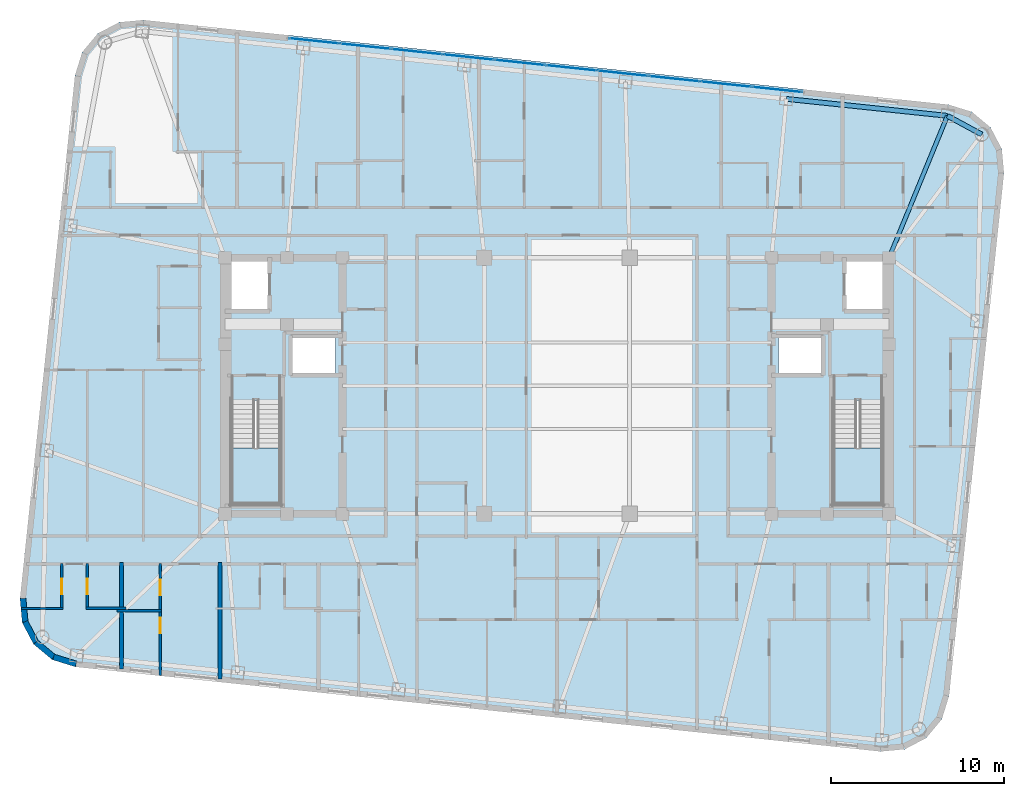
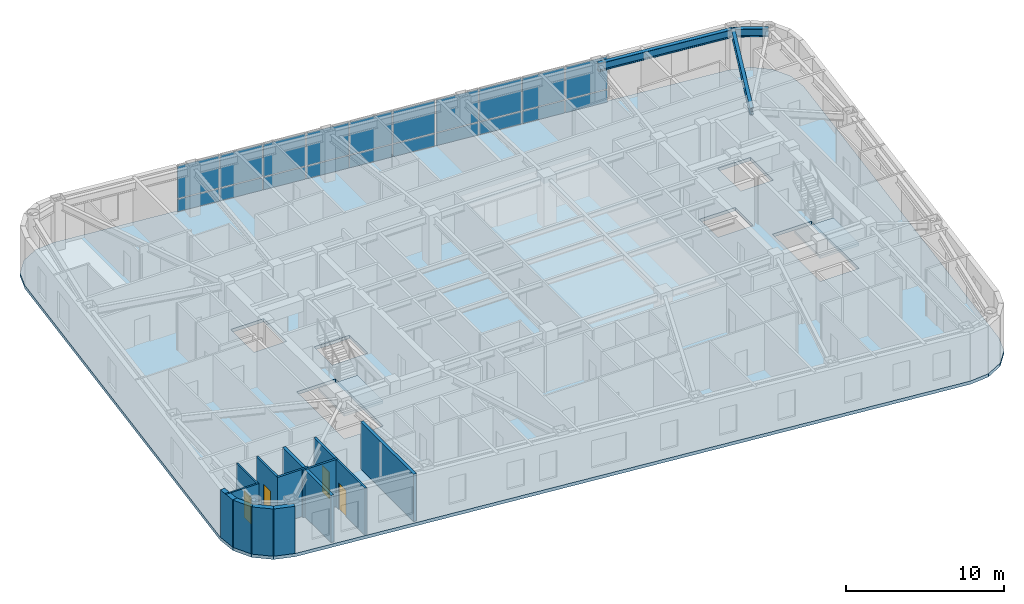
# One storey, part 7 of 16: 20 plates, 13 walls, 4 doors, 3 beams, 3 slabs, 4 openings, 3 elements without a shape of their own.
"""IFC4 building model written with IfcOpenShell, lengths in metres."""

from ifc_helpers import new_model, si_unit, direction, frame, frame_2d, origin, origin_2d, place, context, subcontext, project, spatial, polyline, rectangle, i_section, outline, extrude, material, layer, layer_set, material_profile, profile_set, type_object, element, fill, aggregate, save


model = new_model("IFC4")

# Units and contexts
model_context = context("Model", 3, precision=1e-05, world=origin(), true_north=direction((0.0, 1.0)))
body_context = subcontext(model_context, "Body", "Model", "MODEL_VIEW")
ifc_project = project(units=[si_unit("LENGTHUNIT", "METRE"), si_unit("AREAUNIT", "SQUARE_METRE"), si_unit("VOLUMEUNIT", "CUBIC_METRE"), si_unit("PLANEANGLEUNIT", "RADIAN"), si_unit("MASSUNIT", "GRAM", prefix="KILO")], contexts=[model_context])

# Site, building, storey
site_placement = place(None, origin())
site = spatial("IfcSite", under=ifc_project, at=site_placement, CompositionType="ELEMENT")
building_placement = place(site_placement, origin())
building = spatial("IfcBuilding", under=site, at=building_placement, Name="Voryun Gate Residences", CompositionType="ELEMENT")
storey_placement = place(building_placement, frame((0.0, 0.0, 267.800048828125)))
storey = spatial("IfcBuildingStorey", under=building, at=storey_placement, Name="L66", CompositionType="ELEMENT", Elevation=267.800048828125)

# Beams
ifc_material_1 = material(Name="Steel SM355", Category="steel")
ifc_material_profile_1 = material_profile(ifc_material_1, i_section(OverallWidth=0.280029296875, OverallDepth=0.6201171875, WebThickness=0.013916015625, FlangeThickness=0.02197265625, FilletRadius=0.01806640625, at=origin_2d()), Name="H-620x280x14x22")
ifc_profile_set_1 = profile_set([ifc_material_profile_1], Name="Steel SM355")
beam_type_1 = type_object("IfcBeamType", Name="BM_EXO_SPANDREL_H", PredefinedType="SPANDREL", material=ifc_profile_set_1)
beam_1_placement = place(storey_placement, frame((24.55322265625, 14.52734375, 3.33984375), z_axis=(-0.878844363117, 0.477108567746, 0.0), x_axis=(-0.477108567746, -0.878844363117, 0.0)))
element("IfcBeam", 1, at=beam_1_placement, inside=storey, type_object=beam_type_1, Name="BM-L66-SPAND-10", PredefinedType="SPANDREL", context=body_context, shape_type="SweptSolid", body=[
    extrude(i_section(OverallWidth=0.280029296875, OverallDepth=0.6201171875, WebThickness=0.013916015625, FlangeThickness=0.02197265625, FilletRadius=0.01806640625, at=origin_2d()), origin(), (0.0, 0.0, 1.0), 2.257568359375),
])
beam_2_placement = place(storey_placement, frame((22.569091796875, 15.6044921875, 3.33984375), z_axis=(-0.994520592114, 0.104540862157, 0.0), x_axis=(-0.104540862157, -0.994520592114, 0.0)))
element("IfcBeam", 2, at=beam_2_placement, inside=storey, type_object=beam_type_1, Name="BM-L66-SPAND-11", PredefinedType="SPANDREL", context=body_context, shape_type="SweptSolid", body=[
    extrude(i_section(OverallWidth=0.280029296875, OverallDepth=0.6201171875, WebThickness=0.013916015625, FlangeThickness=0.02197265625, FilletRadius=0.01806640625, at=origin_2d()), origin(), (0.0, 0.0, 1.0), 9.360107421875),
])
ifc_material_2 = material(Name="Steel SM355", Category="steel")
ifc_material_profile_2 = material_profile(ifc_material_2, i_section(OverallWidth=0.239990234375, OverallDepth=0.550048828125, WebThickness=0.011962890625, FlangeThickness=0.02001953125, FilletRadius=0.01806640625, at=origin_2d()), Name="H-550x240x12x20")
ifc_profile_set_2 = profile_set([ifc_material_profile_2], Name="Steel SM355")
beam_type_2 = type_object("IfcBeamType", Name="BM_GIRD_550", PredefinedType="USERDEFINED", material=ifc_profile_set_2)
beam_3_placement = place(storey_placement, frame((19.199951171875, 7.39990234375, 3.375), z_axis=(0.379860811741, 0.925043655026, 0.0), x_axis=(-0.925043655026, 0.379860811741, 0.0)))
element("IfcBeam", 3, at=beam_3_placement, inside=storey, type_object=beam_type_2, Name="BM-L66-RAD-N1", ObjectType="GIRDER", PredefinedType="USERDEFINED", context=body_context, shape_type="SweptSolid", body=[
    extrude(i_section(OverallWidth=0.239990234375, OverallDepth=0.550048828125, WebThickness=0.011962890625, FlangeThickness=0.02001953125, FilletRadius=0.01806640625, at=origin_2d()), origin(), (0.0, 0.0, 1.0), 8.869384765625),
])

# Curtain wall, plates
ifc_material_3 = material(Name="Anodised aluminium", Category="aluminium")
ifc_layer_1 = layer(ifc_material_3, 0.2099609375, Name="CW_SYS_SKYGARDEN_DARK_GLASS")
ifc_layer_set_1 = layer_set([ifc_layer_1], Name="Anodised aluminium")
curtain_wall_type = type_object("IfcCurtainWallType", Name="CW_SYS_SKYGARDEN_DARK_GLASS", PredefinedType="NOTDEFINED", material=ifc_layer_set_1)
curtain_wall_placement = place(storey_placement, origin())
curtain_wall = element("IfcCurtainWall", 4, at=curtain_wall_placement, inside=storey, type_object=curtain_wall_type, Name="Curtain wall CW5-L66-SG-11", PredefinedType="NOTDEFINED")
ifc_material_4 = material(Name="Laminated low-E glass", Category="glass")
ifc_layer_2 = layer(ifc_material_4, 0.0458984375, Name="PLT_GLASS_DARK_SKY")
ifc_layer_set_2 = layer_set([ifc_layer_2], Name="Laminated low-E glass")
plate_type = type_object("IfcPlateType", Name="PLT_GLASS_DARK_SKY", PredefinedType="CURTAIN_PANEL", material=ifc_layer_set_2)
plate_1_placement = place(storey_placement, frame((-14.03271484375, 19.934326171875, 0.06005859375), z_axis=(0.0, 0.0, 1.0), x_axis=(0.994521496699, -0.104532256285, 0.0)))
plate_1 = element("IfcPlate", 5, at=plate_1_placement, type_object=plate_type, Name="CW5 panel 1.1", PredefinedType="CURTAIN_PANEL", context=body_context, shape_type="SweptSolid", body=[
    extrude(rectangle(XDim=2.903076171875, YDim=0.028076171875, at=origin_2d()), origin(), (0.0, 0.0, 1.0), 0.9599609375),
])
plate_2_placement = place(storey_placement, frame((-14.03271484375, 19.934326171875, 1.080078125), z_axis=(0.0, 0.0, 1.0), x_axis=(0.994521496699, -0.104532256285, 0.0)))
plate_2 = element("IfcPlate", 6, at=plate_2_placement, type_object=plate_type, Name="CW5 panel 1.2", PredefinedType="CURTAIN_PANEL", context=body_context, shape_type="SweptSolid", body=[
    extrude(rectangle(XDim=2.903076171875, YDim=0.028076171875, at=origin_2d()), origin(), (0.0, 0.0, 1.0), 2.510009765625),
])
plate_3_placement = place(storey_placement, frame((-11.071044921875, 19.623046875, 0.06005859375), z_axis=(0.0, 0.0, 1.0), x_axis=(0.994521496699, -0.104532256285, 0.0)))
plate_3 = element("IfcPlate", 7, at=plate_3_placement, type_object=plate_type, Name="CW5 panel 2.1", PredefinedType="CURTAIN_PANEL", context=body_context, shape_type="SweptSolid", body=[
    extrude(rectangle(XDim=2.93310546875, YDim=0.028076171875, at=origin_2d()), origin(), (0.0, 0.0, 1.0), 0.9599609375),
])
plate_4_placement = place(storey_placement, frame((-11.071044921875, 19.623046875, 1.080078125), z_axis=(0.0, 0.0, 1.0), x_axis=(0.994521496699, -0.104532256285, 0.0)))
plate_4 = element("IfcPlate", 8, at=plate_4_placement, type_object=plate_type, Name="CW5 panel 2.2", PredefinedType="CURTAIN_PANEL", context=body_context, shape_type="SweptSolid", body=[
    extrude(rectangle(XDim=2.93310546875, YDim=0.028076171875, at=origin_2d()), origin(), (0.0, 0.0, 1.0), 2.510009765625),
])
plate_5_placement = place(storey_placement, frame((-8.09423828125, 19.31005859375, 0.06005859375), z_axis=(0.0, 0.0, 1.0), x_axis=(0.994521496699, -0.104532256285, 0.0)))
plate_5 = element("IfcPlate", 9, at=plate_5_placement, type_object=plate_type, Name="CW5 panel 3.1", PredefinedType="CURTAIN_PANEL", context=body_context, shape_type="SweptSolid", body=[
    extrude(rectangle(XDim=2.93310546875, YDim=0.028076171875, at=origin_2d()), origin(), (0.0, 0.0, 1.0), 0.9599609375),
])
plate_6_placement = place(storey_placement, frame((-8.09423828125, 19.31005859375, 1.080078125), z_axis=(0.0, 0.0, 1.0), x_axis=(0.994521496699, -0.104532256285, 0.0)))
plate_6 = element("IfcPlate", 10, at=plate_6_placement, type_object=plate_type, Name="CW5 panel 3.2", PredefinedType="CURTAIN_PANEL", context=body_context, shape_type="SweptSolid", body=[
    extrude(rectangle(XDim=2.93310546875, YDim=0.028076171875, at=origin_2d()), origin(), (0.0, 0.0, 1.0), 2.510009765625),
])
plate_7_placement = place(storey_placement, frame((-5.11767578125, 18.997314453125, 0.06005859375), z_axis=(0.0, 0.0, 1.0), x_axis=(0.994521496699, -0.104532256285, 0.0)))
plate_7 = element("IfcPlate", 11, at=plate_7_placement, type_object=plate_type, Name="CW5 panel 4.1", PredefinedType="CURTAIN_PANEL", context=body_context, shape_type="SweptSolid", body=[
    extrude(rectangle(XDim=2.93310546875, YDim=0.028076171875, at=origin_2d()), origin(), (0.0, 0.0, 1.0), 0.9599609375),
])
plate_8_placement = place(storey_placement, frame((-5.11767578125, 18.997314453125, 1.080078125), z_axis=(0.0, 0.0, 1.0), x_axis=(0.994521496699, -0.104532256285, 0.0)))
plate_8 = element("IfcPlate", 12, at=plate_8_placement, type_object=plate_type, Name="CW5 panel 4.2", PredefinedType="CURTAIN_PANEL", context=body_context, shape_type="SweptSolid", body=[
    extrude(rectangle(XDim=2.93310546875, YDim=0.028076171875, at=origin_2d()), origin(), (0.0, 0.0, 1.0), 2.510009765625),
])
plate_9_placement = place(storey_placement, frame((-2.140869140625, 18.684326171875, 0.06005859375), z_axis=(0.0, 0.0, 1.0), x_axis=(0.994521496699, -0.104532256285, 0.0)))
plate_9 = element("IfcPlate", 13, at=plate_9_placement, type_object=plate_type, Name="CW5 panel 5.1", PredefinedType="CURTAIN_PANEL", context=body_context, shape_type="SweptSolid", body=[
    extrude(rectangle(XDim=2.93310546875, YDim=0.028076171875, at=origin_2d()), origin(), (0.0, 0.0, 1.0), 0.9599609375),
])
plate_10_placement = place(storey_placement, frame((-2.140869140625, 18.684326171875, 1.080078125), z_axis=(0.0, 0.0, 1.0), x_axis=(0.994521496699, -0.104532256285, 0.0)))
plate_10 = element("IfcPlate", 14, at=plate_10_placement, type_object=plate_type, Name="CW5 panel 5.2", PredefinedType="CURTAIN_PANEL", context=body_context, shape_type="SweptSolid", body=[
    extrude(rectangle(XDim=2.93310546875, YDim=0.028076171875, at=origin_2d()), origin(), (0.0, 0.0, 1.0), 2.510009765625),
])
plate_11_placement = place(storey_placement, frame((0.835693359375, 18.37158203125, 0.06005859375), z_axis=(0.0, 0.0, 1.0), x_axis=(0.994521496699, -0.104532256285, 0.0)))
plate_11 = element("IfcPlate", 15, at=plate_11_placement, type_object=plate_type, Name="CW5 panel 6.1", PredefinedType="CURTAIN_PANEL", context=body_context, shape_type="SweptSolid", body=[
    extrude(rectangle(XDim=2.93310546875, YDim=0.028076171875, at=origin_2d()), origin(), (0.0, 0.0, 1.0), 0.9599609375),
])
plate_12_placement = place(storey_placement, frame((0.835693359375, 18.37158203125, 1.080078125), z_axis=(0.0, 0.0, 1.0), x_axis=(0.994521496699, -0.104532256285, 0.0)))
plate_12 = element("IfcPlate", 16, at=plate_12_placement, type_object=plate_type, Name="CW5 panel 6.2", PredefinedType="CURTAIN_PANEL", context=body_context, shape_type="SweptSolid", body=[
    extrude(rectangle(XDim=2.93310546875, YDim=0.028076171875, at=origin_2d()), origin(), (0.0, 0.0, 1.0), 2.510009765625),
])
plate_13_placement = place(storey_placement, frame((3.812255859375, 18.05859375, 0.06005859375), z_axis=(0.0, 0.0, 1.0), x_axis=(0.994521496699, -0.104532256285, 0.0)))
plate_13 = element("IfcPlate", 17, at=plate_13_placement, type_object=plate_type, Name="CW5 panel 7.1", PredefinedType="CURTAIN_PANEL", context=body_context, shape_type="SweptSolid", body=[
    extrude(rectangle(XDim=2.93310546875, YDim=0.028076171875, at=origin_2d()), origin(), (0.0, 0.0, 1.0), 0.9599609375),
])
plate_14_placement = place(storey_placement, frame((3.812255859375, 18.05859375, 1.080078125), z_axis=(0.0, 0.0, 1.0), x_axis=(0.994521496699, -0.104532256285, 0.0)))
plate_14 = element("IfcPlate", 18, at=plate_14_placement, type_object=plate_type, Name="CW5 panel 7.2", PredefinedType="CURTAIN_PANEL", context=body_context, shape_type="SweptSolid", body=[
    extrude(rectangle(XDim=2.93310546875, YDim=0.028076171875, at=origin_2d()), origin(), (0.0, 0.0, 1.0), 2.510009765625),
])
plate_15_placement = place(storey_placement, frame((6.7890625, 17.745849609375, 0.06005859375), z_axis=(0.0, 0.0, 1.0), x_axis=(0.994521496699, -0.104532256285, 0.0)))
plate_15 = element("IfcPlate", 19, at=plate_15_placement, type_object=plate_type, Name="CW5 panel 8.1", PredefinedType="CURTAIN_PANEL", context=body_context, shape_type="SweptSolid", body=[
    extrude(rectangle(XDim=2.93310546875, YDim=0.028076171875, at=origin_2d()), origin(), (0.0, 0.0, 1.0), 0.9599609375),
])
plate_16_placement = place(storey_placement, frame((6.7890625, 17.745849609375, 1.080078125), z_axis=(0.0, 0.0, 1.0), x_axis=(0.994521496699, -0.104532256285, 0.0)))
plate_16 = element("IfcPlate", 20, at=plate_16_placement, type_object=plate_type, Name="CW5 panel 8.2", PredefinedType="CURTAIN_PANEL", context=body_context, shape_type="SweptSolid", body=[
    extrude(rectangle(XDim=2.93310546875, YDim=0.028076171875, at=origin_2d()), origin(), (0.0, 0.0, 1.0), 2.510009765625),
])
plate_17_placement = place(storey_placement, frame((9.765625, 17.432861328125, 0.06005859375), z_axis=(0.0, 0.0, 1.0), x_axis=(0.994521496699, -0.104532256285, 0.0)))
plate_17 = element("IfcPlate", 21, at=plate_17_placement, type_object=plate_type, Name="CW5 panel 9.1", PredefinedType="CURTAIN_PANEL", context=body_context, shape_type="SweptSolid", body=[
    extrude(rectangle(XDim=2.93310546875, YDim=0.028076171875, at=origin_2d()), origin(), (0.0, 0.0, 1.0), 0.9599609375),
])
plate_18_placement = place(storey_placement, frame((9.765625, 17.432861328125, 1.080078125), z_axis=(0.0, 0.0, 1.0), x_axis=(0.994521496699, -0.104532256285, 0.0)))
plate_18 = element("IfcPlate", 22, at=plate_18_placement, type_object=plate_type, Name="CW5 panel 9.2", PredefinedType="CURTAIN_PANEL", context=body_context, shape_type="SweptSolid", body=[
    extrude(rectangle(XDim=2.93310546875, YDim=0.028076171875, at=origin_2d()), origin(), (0.0, 0.0, 1.0), 2.510009765625),
])
plate_19_placement = place(storey_placement, frame((12.727294921875, 17.12158203125, 0.06005859375), z_axis=(0.0, 0.0, 1.0), x_axis=(0.994521496699, -0.104532256285, 0.0)))
plate_19 = element("IfcPlate", 23, at=plate_19_placement, type_object=plate_type, Name="CW5 panel 10.1", PredefinedType="CURTAIN_PANEL", context=body_context, shape_type="SweptSolid", body=[
    extrude(rectangle(XDim=2.903076171875, YDim=0.028076171875, at=origin_2d()), origin(), (0.0, 0.0, 1.0), 0.9599609375),
])
plate_20_placement = place(storey_placement, frame((12.727294921875, 17.12158203125, 1.080078125), z_axis=(0.0, 0.0, 1.0), x_axis=(0.994521496699, -0.104532256285, 0.0)))
plate_20 = element("IfcPlate", 24, at=plate_20_placement, type_object=plate_type, Name="CW5 panel 10.2", PredefinedType="CURTAIN_PANEL", context=body_context, shape_type="SweptSolid", body=[
    extrude(rectangle(XDim=2.903076171875, YDim=0.028076171875, at=origin_2d()), origin(), (0.0, 0.0, 1.0), 2.510009765625),
])
aggregate(curtain_wall, [plate_1, plate_2, plate_3, plate_4, plate_5, plate_6, plate_7, plate_8, plate_9, plate_10, plate_11, plate_12, plate_13, plate_14, plate_15, plate_16, plate_17, plate_18, plate_19, plate_20])

# Slab
ifc_material_5 = material(Name="Concrete C40/50", Category="concrete")
ifc_layer_3 = layer(ifc_material_5, 0.25, Name="SLB_RES_250")
ifc_layer_set_3 = layer_set([ifc_layer_3], Name="Concrete C40/50")
slab_type_1 = type_object("IfcSlabType", Name="SLB_RES_250", PredefinedType="FLOOR", material=ifc_layer_set_3)
slab_1_placement = place(storey_placement, frame((0.0, 0.0, -0.25)))
element("IfcSlab", 25, at=slab_1_placement, inside=storey, type_object=slab_type_1, Name="L66 Structural Floor Slab", PredefinedType="FLOOR", context=body_context, shape_type="SweptSolid", body=[
    extrude(outline(polyline([(-27.8369140625, -16.2509765625), (-29.178466796875, -15.83447265625), (-30.25830078125, -14.936279296875), (-30.912353515625, -13.693115234375), (-31.041015625, -12.29443359375), (-27.86328125, 17.93896484375), (-27.44677734375, 19.280517578125), (-26.548583984375, 20.3603515625), (-25.305419921875, 21.014404296875), (-23.90673828125, 21.14306640625), (22.636962890625, 16.2509765625), (23.978515625, 15.83447265625), (25.058349609375, 14.936279296875), (25.71240234375, 13.693115234375), (25.8408203125, 12.29443359375), (22.663330078125, -17.93896484375), (22.246826171875, -19.280517578125), (21.3486328125, -20.3603515625), (20.10546875, -21.014404296875), (18.706787109375, -21.14306640625), (-27.8369140625, -16.2509765625)]), holes=[polyline([(-15.97509765625, -0.840087890625), (-18.824951171875, -0.840087890625), (-18.824951171875, -6.85009765625), (-15.97509765625, -6.85009765625), (-15.97509765625, -0.840087890625)]), polyline([(18.824951171875, -6.85009765625), (18.824951171875, -0.840087890625), (15.97509765625, -0.840087890625), (15.97509765625, -6.85009765625), (18.824951171875, -6.85009765625)]), polyline([(-12.800048828125, 2.89990234375), (-15.39990234375, 2.89990234375), (-15.39990234375, 0.60009765625), (-12.800048828125, 0.60009765625), (-12.800048828125, 2.89990234375)]), polyline([(12.800048828125, 2.89990234375), (12.800048828125, 0.60009765625), (15.39990234375, 0.60009765625), (15.39990234375, 2.89990234375), (12.800048828125, 2.89990234375)]), polyline([(-16.60009765625, 7.199951171875), (-19.0, 7.199951171875), (-19.0, 4.300048828125), (-16.60009765625, 4.300048828125), (-16.60009765625, 7.199951171875)]), polyline([(19.0, 7.199951171875), (16.60009765625, 7.199951171875), (16.60009765625, 4.300048828125), (19.0, 4.300048828125), (19.0, 7.199951171875)])]), origin(), (0.0, 0.0, 1.0), 0.25),
])

# Stair, slab
ifc_material_6 = material(Name="Concrete C40/50", Category="concrete")
stair_type = type_object("IfcStairType", Name="STR_CORE_DOGLEG_1350", PredefinedType="HALF_TURN_STAIR", material=ifc_material_6)
stair_1_placement = place(storey_placement, origin())
stair_1 = element("IfcStair", 26, at=stair_1_placement, inside=storey, type_object=stair_type, Name="L66 Special Escape Stair ST-W1", PredefinedType="HALF_TURN_STAIR")
ifc_material_7 = material(Name="Concrete C40/50", Category="concrete")
ifc_layer_4 = layer(ifc_material_7, 0.199951171875, Name="SLB_STAIR_LANDING_200")
ifc_layer_set_4 = layer_set([ifc_layer_4], Name="Concrete C40/50")
slab_type_2 = type_object("IfcSlabType", Name="SLB_STAIR_LANDING_200", PredefinedType="LANDING", material=ifc_layer_set_4)
slab_2_placement = place(storey_placement, frame((0.0, 0.0, 1.75)))
slab_2 = element("IfcSlab", 27, at=slab_2_placement, type_object=slab_type_2, Name="ST-W1 landing 1", PredefinedType="LANDING", context=body_context, shape_type="SweptSolid", body=[
    extrude(outline(polyline([(-18.824951171875, -3.60009765625), (-18.824951171875, -6.85009765625), (-15.97509765625, -6.85009765625), (-15.97509765625, -3.60009765625), (-18.824951171875, -3.60009765625)])), origin(), (0.0, 0.0, 1.0), 0.199951171875),
])
aggregate(stair_1, [slab_2])

stair_2_placement = place(storey_placement, origin())
stair_2 = element("IfcStair", 28, at=stair_2_placement, inside=storey, type_object=stair_type, Name="L66 Special Escape Stair ST-E1", PredefinedType="HALF_TURN_STAIR")
slab_3_placement = place(storey_placement, frame((0.0, 0.0, 1.75)))
slab_3 = element("IfcSlab", 29, at=slab_3_placement, type_object=slab_type_2, Name="ST-E1 landing 1", PredefinedType="LANDING", context=body_context, shape_type="SweptSolid", body=[
    extrude(outline(polyline([(15.97509765625, -3.60009765625), (15.97509765625, -6.85009765625), (18.824951171875, -6.85009765625), (18.824951171875, -3.60009765625), (15.97509765625, -3.60009765625)])), origin(), (0.0, 0.0, 1.0), 0.199951171875),
])
aggregate(stair_2, [slab_3])

# Walls
ifc_material_8 = material(Name="Charcoal terracotta masonry", Category="masonry")
ifc_layer_5 = layer(ifc_material_8, 0.340087890625, Name="W_EXT_TERRACOTTA_340")
ifc_layer_set_5 = layer_set([ifc_layer_5], Name="Charcoal terracotta masonry")
wall_type_1 = type_object("IfcWallType", Name="W_EXT_TERRACOTTA_340", PredefinedType="ELEMENTEDWALL", material=ifc_layer_set_5)
wall_1_placement = place(storey_placement, frame((-27.802490234375, -16.083740234375, 0.0), z_axis=(0.0, 0.0, 1.0), x_axis=(-0.955007802701, 0.296580674994, 0.0)))
element("IfcWall", 30, at=wall_1_placement, inside=storey, type_object=wall_type_1, Name="Exterior wall WEXT-L66-02", PredefinedType="ELEMENTEDWALL", context=body_context, shape_type="SweptSolid", body=[
    extrude(rectangle(XDim=1.354248046875, YDim=0.340087890625, at=frame_2d((0.67724609375, 0.0))), origin(), (0.0, 0.0, 1.0), 3.64990234375),
])
wall_2_placement = place(storey_placement, frame((-29.095703125, -15.68212890625, 0.0), z_axis=(0.0, 0.0, 1.0), x_axis=(-0.768864427906, 0.639411832469, 0.0)))
element("IfcWall", 31, at=wall_2_placement, inside=storey, type_object=wall_type_1, Name="Exterior wall WEXT-L66-03", PredefinedType="ELEMENTEDWALL", context=body_context, shape_type="SweptSolid", body=[
    extrude(rectangle(XDim=1.337158203125, YDim=0.340087890625, at=frame_2d((0.66845703125, 0.0))), origin(), (0.0, 0.0, 1.0), 3.64990234375),
])
wall_3_placement = place(storey_placement, frame((-30.123779296875, -14.8271484375, 0.0), z_axis=(0.0, 0.0, 1.0), x_axis=(-0.465528132217, 0.885033083062, 0.0)))
element("IfcWall", 32, at=wall_3_placement, inside=storey, type_object=wall_type_1, Name="Exterior wall WEXT-L66-04", PredefinedType="ELEMENTEDWALL", context=body_context, shape_type="SweptSolid", body=[
    extrude(rectangle(XDim=1.3369140625, YDim=0.340087890625, at=frame_2d((0.66845703125, 0.0))), origin(), (0.0, 0.0, 1.0), 3.64990234375),
])
wall_4_placement = place(storey_placement, frame((-30.74609375, -13.64404296875, 0.0), z_axis=(0.0, 0.0, 1.0), x_axis=(-0.091592370975, 0.995796584438, 0.0)))
element("IfcWall", 33, at=wall_4_placement, inside=storey, type_object=wall_type_1, Name="Exterior wall WEXT-L66-05", PredefinedType="ELEMENTEDWALL", context=body_context, shape_type="SweptSolid", body=[
    extrude(rectangle(XDim=1.35400390625, YDim=0.340087890625, at=frame_2d((0.677001953125, 0.0))), origin(), (0.0, 0.0, 1.0), 3.64990234375),
])
ifc_material_9 = material(Name="Concrete C40/50", Category="concrete")
ifc_layer_6 = layer(ifc_material_9, 0.219970703125, Name="W_PARTY_ACOUSTIC_220")
ifc_layer_set_6 = layer_set([ifc_layer_6], Name="Concrete C40/50")
wall_type_2 = type_object("IfcWallType", Name="W_PARTY_ACOUSTIC_220", PredefinedType="PARTITIONING", material=ifc_layer_set_6)
wall_5_placement = place(storey_placement, frame((-25.177978515625, -16.359619140625, 0.0), z_axis=(0.0, 0.0, 1.0), x_axis=(0.0, 1.0, 0.0)))
element("IfcWall", 34, at=wall_5_placement, inside=storey, type_object=wall_type_2, Name="Partition wall WP-L66-SPTY-1", PredefinedType="PARTITIONING", context=body_context, shape_type="SweptSolid", body=[
    extrude(rectangle(XDim=6.1396484375, YDim=0.219970703125, at=frame_2d((3.06982421875, 0.0))), origin(), (0.0, 0.0, 1.0), 3.64990234375),
])
wall_6_placement = place(storey_placement, frame((-19.47802734375, -16.958740234375, 0.0), z_axis=(0.0, 0.0, 1.0), x_axis=(0.0, 1.0, 0.0)))
element("IfcWall", 35, at=wall_6_placement, inside=storey, type_object=wall_type_2, Name="Partition wall WP-L66-SPTY-2", PredefinedType="PARTITIONING", context=body_context, shape_type="SweptSolid", body=[
    extrude(rectangle(XDim=6.73876953125, YDim=0.219970703125, at=frame_2d((3.369384765625, 0.0))), origin(), (0.0, 0.0, 1.0), 3.64990234375),
])

# Wall, opening, door
ifc_material_10 = material(Name="Gypsum acoustic partition")
ifc_layer_7 = layer(ifc_material_10, 0.125, Name="W_UNIT_PART_125")
ifc_layer_set_7 = layer_set([ifc_layer_7], Name="Gypsum acoustic partition")
wall_type_3 = type_object("IfcWallType", Name="W_UNIT_PART_125", PredefinedType="PARTITIONING", material=ifc_layer_set_7)
wall_7_placement = place(storey_placement, frame((-28.626953125, -12.929931640625, 0.0), z_axis=(0.0, 0.0, 1.0), x_axis=(0.0, 1.0, 0.0)))
wall_7 = element("IfcWall", 36, at=wall_7_placement, inside=storey, type_object=wall_type_3, Name="Partition wall WP-L66-S1-CVK", PredefinedType="PARTITIONING", context=body_context, shape_type="SweptSolid", body=[
    extrude(rectangle(XDim=2.64990234375, YDim=0.125, at=frame_2d((1.324951171875, 0.0))), origin(), (0.0, 0.0, 1.0), 3.64990234375),
])
opening_1_placement = place(wall_7_placement, frame((0.875, 0.0, 0.0)))
opening_1 = element("IfcOpeningElement", 37, at=opening_1_placement, cuts=wall_7, Name="Opening D-INT-2", PredefinedType="OPENING", context=body_context, shape_type="SweptSolid", body=[
    extrude(rectangle(XDim=0.89990234375, YDim=2.050048828125, at=frame_2d((0.449951171875, 1.02490234375))), frame((0.0, 0.072509765625, 0.0), z_axis=(0.0, -1.0, 0.0), x_axis=(1.0, 0.0, 0.0)), (0.0, 0.0, 1.0), 0.14501953125),
])
ifc_material_11 = material(Name="Architectural oak veneer")
door_type = type_object("IfcDoorType", Name="DR_INT_BATH_900", OperationType="NOTDEFINED", PredefinedType="DOOR", material=ifc_material_11)
door_1_placement = place(opening_1_placement, origin())
door_1 = element("IfcDoor", 38, at=door_1_placement, inside=storey, type_object=door_type, Name="Door DR-L66-S1-DK", OperationType="SINGLE_SWING_LEFT", OverallHeight=2.050048828125, OverallWidth=0.89990234375, PredefinedType="DOOR", context=body_context, shape_type="SweptSolid", body=[
    extrude(rectangle(XDim=0.89990234375, YDim=2.050048828125, at=frame_2d((0.449951171875, 1.02490234375))), frame((0.0, 0.02490234375, 0.0), z_axis=(0.0, -1.0, 0.0), x_axis=(1.0, 0.0, 0.0)), (0.0, 0.0, 1.0), 0.050048828125),
])
fill(opening_1, door_1)

# Wall
wall_8_placement = place(storey_placement, frame((-30.968017578125, -12.8701171875, 0.0), z_axis=(0.0, 0.0, 1.0), x_axis=(1.0, 0.0, 0.0)))
element("IfcWall", 39, at=wall_8_placement, inside=storey, type_object=wall_type_3, Name="Partition wall WP-L66-S1-CHK", PredefinedType="PARTITIONING", context=body_context, shape_type="SweptSolid", body=[
    extrude(rectangle(XDim=2.401123046875, YDim=0.125, at=frame_2d((1.20068359375, 0.0))), origin(), (0.0, 0.0, 1.0), 3.64990234375),
])

# Wall, opening, door
ifc_material_12 = material(Name="Gypsum moisture-resistant partition")
ifc_layer_8 = layer(ifc_material_12, 0.14990234375, Name="W_WET_PLUMB_150")
ifc_layer_set_8 = layer_set([ifc_layer_8], Name="Gypsum moisture-resistant partition")
wall_type_4 = type_object("IfcWallType", Name="W_WET_PLUMB_150", PredefinedType="PLUMBINGWALL", material=ifc_layer_set_8)
wall_9_placement = place(storey_placement, frame((-27.155029296875, -12.929931640625, 0.0), z_axis=(0.0, 0.0, 1.0), x_axis=(0.0, 1.0, 0.0)))
wall_9 = element("IfcWall", 40, at=wall_9_placement, inside=storey, type_object=wall_type_4, Name="Partition wall WP-L66-S1-CVB", PredefinedType="PLUMBINGWALL", context=body_context, shape_type="SweptSolid", body=[
    extrude(rectangle(XDim=2.64990234375, YDim=0.14990234375, at=frame_2d((1.324951171875, 0.0))), origin(), (0.0, 0.0, 1.0), 3.64990234375),
])
opening_2_placement = place(wall_9_placement, frame((0.875, 0.0, 0.0)))
opening_2 = element("IfcOpeningElement", 41, at=opening_2_placement, cuts=wall_9, Name="Opening D-INT-2", PredefinedType="OPENING", context=body_context, shape_type="SweptSolid", body=[
    extrude(rectangle(XDim=0.89990234375, YDim=2.050048828125, at=frame_2d((0.449951171875, 1.02490234375))), frame((0.0, 0.0849609375, 0.0), z_axis=(0.0, -1.0, 0.0), x_axis=(1.0, 0.0, 0.0)), (0.0, 0.0, 1.0), 0.169921875),
])
door_2_placement = place(opening_2_placement, origin())
door_2 = element("IfcDoor", 42, at=door_2_placement, inside=storey, type_object=door_type, Name="Door DR-L66-S1-DB", OperationType="SINGLE_SWING_RIGHT", OverallHeight=2.050048828125, OverallWidth=0.89990234375, PredefinedType="DOOR", context=body_context, shape_type="SweptSolid", body=[
    extrude(rectangle(XDim=0.89990234375, YDim=2.050048828125, at=frame_2d((0.449951171875, 1.02490234375))), frame((0.0, 0.02490234375, 0.0), z_axis=(0.0, -1.0, 0.0), x_axis=(1.0, 0.0, 0.0)), (0.0, 0.0, 1.0), 0.050048828125),
])
fill(opening_2, door_2)

# Walls
wall_10_placement = place(storey_placement, frame((-27.215087890625, -12.8701171875, 0.0), z_axis=(0.0, 0.0, 1.0), x_axis=(1.0, 0.0, 0.0)))
element("IfcWall", 43, at=wall_10_placement, inside=storey, type_object=wall_type_4, Name="Partition wall WP-L66-S1-CHB", PredefinedType="PLUMBINGWALL", context=body_context, shape_type="SweptSolid", body=[
    extrude(rectangle(XDim=2.297119140625, YDim=0.14990234375, at=frame_2d((1.1484375, 0.0))), origin(), (0.0, 0.0, 1.0), 3.64990234375),
])
wall_11_placement = place(storey_placement, frame((-25.43798828125, -13.0, 0.0), z_axis=(0.0, 0.0, 1.0), x_axis=(1.0, 0.0, 0.0)))
element("IfcWall", 44, at=wall_11_placement, inside=storey, type_object=wall_type_4, Name="Partition wall WP-L66-S2-SKB", PredefinedType="PLUMBINGWALL", context=body_context, shape_type="SweptSolid", body=[
    extrude(rectangle(XDim=2.575927734375, YDim=0.14990234375, at=frame_2d((1.2880859375, 0.0))), origin(), (0.0, 0.0, 1.0), 3.64990234375),
])

# Wall, opening, door
wall_12_placement = place(storey_placement, frame((-22.94189453125, -16.745361328125, 0.0), z_axis=(0.0, 0.0, 1.0), x_axis=(0.0, 1.0, 0.0)))
wall_12 = element("IfcWall", 45, at=wall_12_placement, inside=storey, type_object=wall_type_4, Name="Partition wall WP-L66-S2-SVT1", PredefinedType="PLUMBINGWALL", context=body_context, shape_type="SweptSolid", body=[
    extrude(rectangle(XDim=3.785400390625, YDim=0.14990234375, at=frame_2d((1.892578125, 0.0))), origin(), (0.0, 0.0, 1.0), 3.64990234375),
])
opening_3_placement = place(wall_12_placement, frame((2.43408203125, 0.0, 0.0)))
opening_3 = element("IfcOpeningElement", 46, at=opening_3_placement, cuts=wall_12, Name="Opening D-INT-2", PredefinedType="OPENING", context=body_context, shape_type="SweptSolid", body=[
    extrude(rectangle(XDim=0.89990234375, YDim=2.050048828125, at=frame_2d((0.449951171875, 1.02490234375))), frame((0.0, 0.0849609375, 0.0), z_axis=(0.0, -1.0, 0.0), x_axis=(1.0, 0.0, 0.0)), (0.0, 0.0, 1.0), 0.169921875),
])
door_3_placement = place(opening_3_placement, origin())
door_3 = element("IfcDoor", 47, at=door_3_placement, inside=storey, type_object=door_type, Name="Door DR-L66-S2-DK", OperationType="SINGLE_SWING_LEFT", OverallHeight=2.050048828125, OverallWidth=0.89990234375, PredefinedType="DOOR", context=body_context, shape_type="SweptSolid", body=[
    extrude(rectangle(XDim=0.89990234375, YDim=2.050048828125, at=frame_2d((0.449951171875, 1.02490234375))), frame((0.0, 0.02490234375, 0.0), z_axis=(0.0, -1.0, 0.0), x_axis=(1.0, 0.0, 0.0)), (0.0, 0.0, 1.0), 0.050048828125),
])
fill(opening_3, door_3)

wall_13_placement = place(storey_placement, frame((-22.94189453125, -13.0400390625, 0.0), z_axis=(0.0, 0.0, 1.0), x_axis=(0.0, 1.0, 0.0)))
wall_13 = element("IfcWall", 48, at=wall_13_placement, inside=storey, type_object=wall_type_4, Name="Partition wall WP-L66-S2-SVT2", PredefinedType="PLUMBINGWALL", context=body_context, shape_type="SweptSolid", body=[
    extrude(rectangle(XDim=2.760009765625, YDim=0.14990234375, at=frame_2d((1.3798828125, 0.0))), origin(), (0.0, 0.0, 1.0), 3.64990234375),
])
opening_4_placement = place(wall_13_placement, frame((0.929931640625, 0.0, 0.0)))
opening_4 = element("IfcOpeningElement", 49, at=opening_4_placement, cuts=wall_13, Name="Opening D-INT-2", PredefinedType="OPENING", context=body_context, shape_type="SweptSolid", body=[
    extrude(rectangle(XDim=0.89990234375, YDim=2.050048828125, at=frame_2d((0.449951171875, 1.02490234375))), frame((0.0, 0.0849609375, 0.0), z_axis=(0.0, -1.0, 0.0), x_axis=(1.0, 0.0, 0.0)), (0.0, 0.0, 1.0), 0.169921875),
])
door_4_placement = place(opening_4_placement, origin())
door_4 = element("IfcDoor", 50, at=door_4_placement, inside=storey, type_object=door_type, Name="Door DR-L66-S2-DB", OperationType="SINGLE_SWING_RIGHT", OverallHeight=2.050048828125, OverallWidth=0.89990234375, PredefinedType="DOOR", context=body_context, shape_type="SweptSolid", body=[
    extrude(rectangle(XDim=0.89990234375, YDim=2.050048828125, at=frame_2d((0.449951171875, 1.02490234375))), frame((0.0, 0.02490234375, 0.0), z_axis=(0.0, -1.0, 0.0), x_axis=(1.0, 0.0, 0.0)), (0.0, 0.0, 1.0), 0.050048828125),
])
fill(opening_4, door_4)

save(model, "model.ifc")
